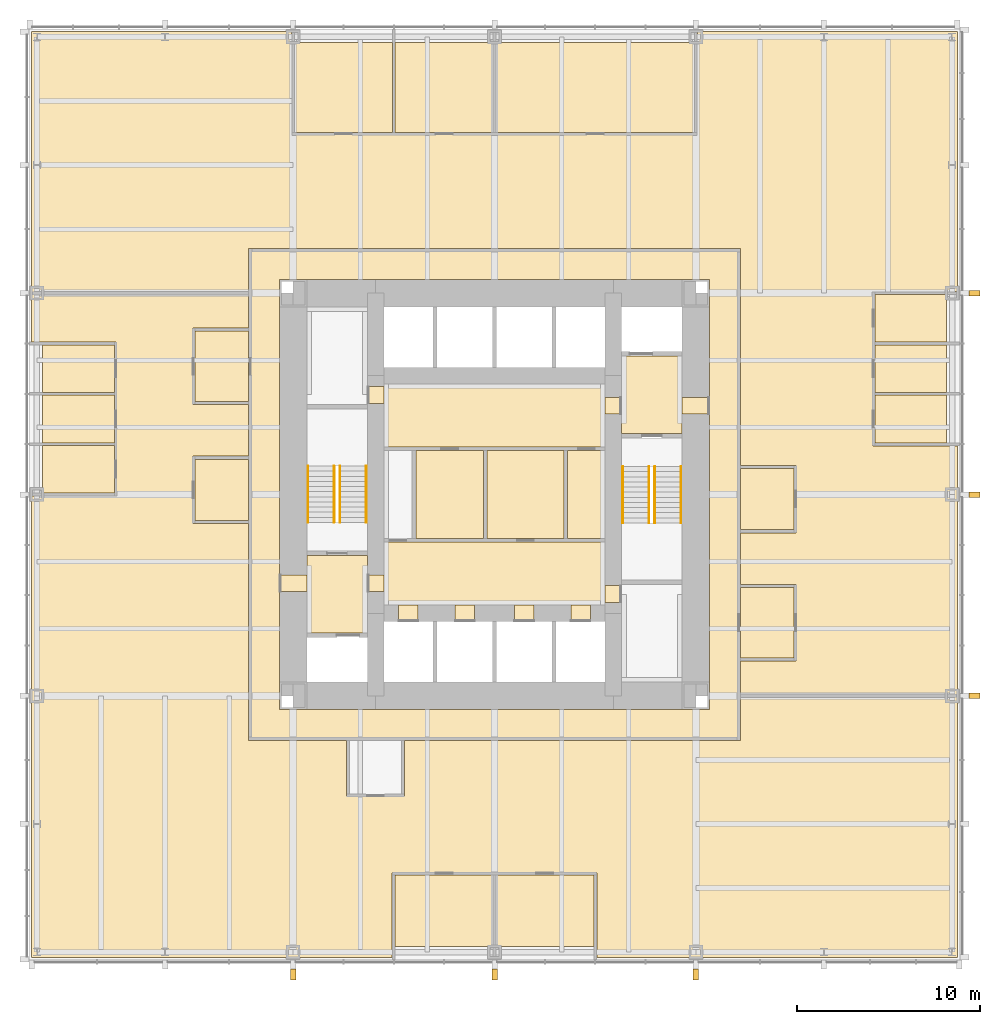
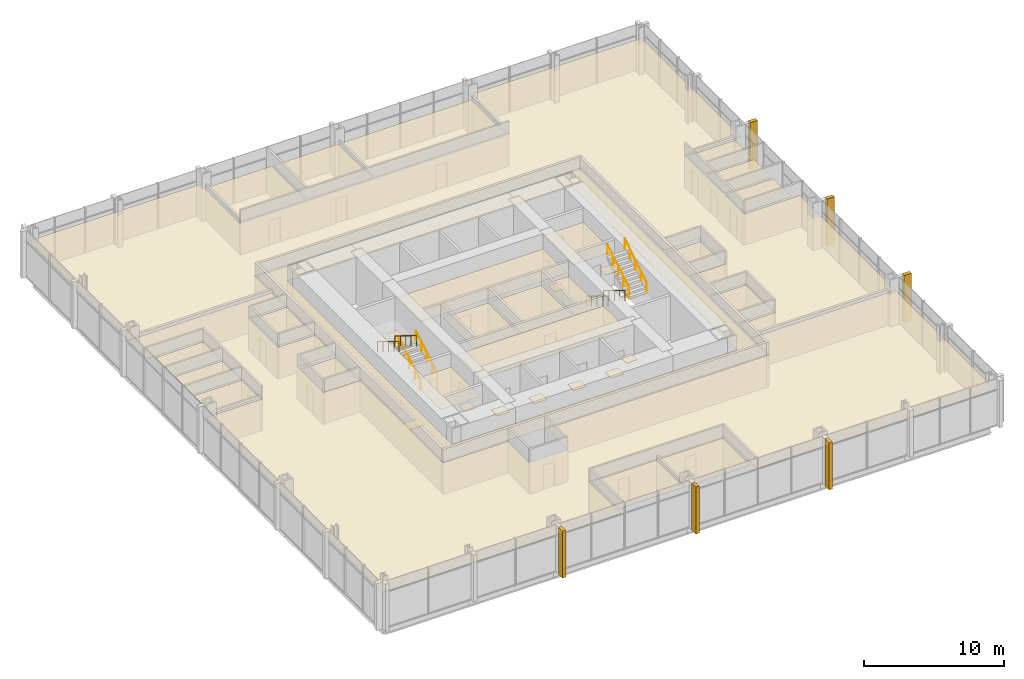
# One storey, part 12 of 12: 41 coverings, 8 railings.
"""IFC4 building model written with IfcOpenShell, lengths in metres."""

from ifc_helpers import new_model, si_unit, direction, frame, origin, origin_2d, place, context, subcontext, project, spatial, polyline, rectangle, circle, outline, extrude, material, layer, layer_set, type_object, element, save


model = new_model("IFC4")

# Units and contexts
model_context = context("Model", 3, precision=1e-05, world=origin(), true_north=direction((0.0, 1.0)))
body_context = subcontext(model_context, "Body", "Model", "MODEL_VIEW")
ifc_project = project(units=[si_unit("LENGTHUNIT", "METRE"), si_unit("AREAUNIT", "SQUARE_METRE"), si_unit("VOLUMEUNIT", "CUBIC_METRE"), si_unit("PLANEANGLEUNIT", "RADIAN"), si_unit("MASSUNIT", "GRAM", prefix="KILO")], contexts=[model_context])

# Site, building, storey
site_placement = place(None, origin())
site = spatial("IfcSite", under=ifc_project, at=site_placement, CompositionType="ELEMENT")
building_placement = place(site_placement, origin())
building = spatial("IfcBuilding", under=site, at=building_placement, Name="Trevanion Tower", CompositionType="ELEMENT")
storey_placement = place(building_placement, frame((0.0, 0.0, 65.199951171875)))
storey = spatial("IfcBuildingStorey", under=building, at=storey_placement, Name="L15", CompositionType="ELEMENT", Elevation=65.199951171875)

# Coverings
ifc_material_1 = material(Name="Fibrous plaster coffers on suspended steel grid", Category="steel")
ifc_layer_1 = layer(ifc_material_1, 0.050048828125)
ifc_layer_set_1 = layer_set([ifc_layer_1], Name="CL1 coffered fibrous plaster ceiling 50")
covering_type_1 = type_object("IfcCoveringType", Name="CL1 coffered fibrous plaster ceiling 50", PredefinedType="CEILING", material=ifc_layer_set_1)
covering_1_placement = place(storey_placement, frame((0.0, 0.0, 3.0)))
element("IfcCovering", 1, at=covering_1_placement, inside=storey, type_object=covering_type_1, Name="CL1 L15-LBS", PredefinedType="CEILING", context=body_context, shape_type="SweptSolid", body=[
    extrude(outline(polyline([(6.050048828125, -6.050048828125), (6.050048828125, -2.60009765625), (-6.050048828125, -2.60009765625), (-6.050048828125, -6.050048828125), (6.050048828125, -6.050048828125)])), origin(), (0.0, 0.0, 1.0), 0.050048828125),
])
ifc_material_2 = material(Name="Mineral fibre acoustic tiles in exposed grid", Category="mineral fibre")
ifc_layer_2 = layer(ifc_material_2, 0.02001953125)
ifc_layer_set_2 = layer_set([ifc_layer_2], Name="CL2 acoustic tile ceiling 20")
covering_type_2 = type_object("IfcCoveringType", Name="CL2 acoustic tile ceiling 20", PredefinedType="CEILING", material=ifc_layer_set_2)
covering_2_placement = place(storey_placement, frame((0.0, 0.0, 2.75)))
element("IfcCovering", 2, at=covering_2_placement, inside=storey, type_object=covering_type_2, Name="CL2 L15-LBN", PredefinedType="CEILING", context=body_context, shape_type="SweptSolid", body=[
    extrude(outline(polyline([(6.050048828125, 2.60009765625), (6.050048828125, 6.050048828125), (-6.050048828125, 6.050048828125), (-6.050048828125, 2.60009765625), (6.050048828125, 2.60009765625)])), origin(), (0.0, 0.0, 1.0), 0.02001953125),
])
covering_3_placement = place(storey_placement, frame((0.0, 0.0, 2.75)))
element("IfcCovering", 3, at=covering_3_placement, inside=storey, type_object=covering_type_2, Name="CL2 L15-CO", PredefinedType="CEILING", context=body_context, shape_type="SweptSolid", body=[
    extrude(outline(polyline([(-13.35009765625, 13.35009765625), (13.35009765625, 13.35009765625), (13.35009765625, -13.35009765625), (-13.35009765625, -13.35009765625), (-13.35009765625, 13.35009765625)]), holes=[polyline([(-11.75, 11.75), (-11.75, -11.75), (11.75, -11.75), (11.75, 11.75), (-11.75, 11.75)])]), origin(), (0.0, 0.0, 1.0), 0.02001953125),
])
covering_4_placement = place(storey_placement, frame((0.0, 0.0, 2.75)))
element("IfcCovering", 4, at=covering_4_placement, inside=storey, type_object=covering_type_2, Name="CL2 L15-BR", PredefinedType="CEILING", context=body_context, shape_type="SweptSolid", body=[
    extrude(outline(polyline([(10.925048828125, 19.77490234375), (0.074951171875, 19.77490234375), (0.074951171875, 24.699951171875), (10.925048828125, 24.699951171875), (10.925048828125, 19.77490234375)])), origin(), (0.0, 0.0, 1.0), 0.02001953125),
])
covering_5_placement = place(storey_placement, frame((0.0, 0.0, 2.75)))
element("IfcCovering", 5, at=covering_5_placement, inside=storey, type_object=covering_type_2, Name="CL2 L15-MR", PredefinedType="CEILING", context=body_context, shape_type="SweptSolid", body=[
    extrude(outline(polyline([(-0.074951171875, 19.77490234375), (-5.425048828125, 19.77490234375), (-5.425048828125, 24.699951171875), (-0.074951171875, 24.699951171875), (-0.074951171875, 19.77490234375)])), origin(), (0.0, 0.0, 1.0), 0.02001953125),
])
covering_6_placement = place(storey_placement, frame((0.0, 0.0, 2.75)))
element("IfcCovering", 6, at=covering_6_placement, inside=storey, type_object=covering_type_2, Name="CL2 L15-MR2", PredefinedType="CEILING", context=body_context, shape_type="SweptSolid", body=[
    extrude(outline(polyline([(-5.574951171875, 19.77490234375), (-10.925048828125, 19.77490234375), (-10.925048828125, 24.699951171875), (-5.574951171875, 24.699951171875), (-5.574951171875, 19.77490234375)])), origin(), (0.0, 0.0, 1.0), 0.02001953125),
])
covering_7_placement = place(storey_placement, frame((0.0, 0.0, 2.75)))
element("IfcCovering", 7, at=covering_7_placement, inside=storey, type_object=covering_type_2, Name="CL2 L15-MR3", PredefinedType="CEILING", context=body_context, shape_type="SweptSolid", body=[
    extrude(outline(polyline([(-5.425048828125, -20.77490234375), (-0.074951171875, -20.77490234375), (-0.074951171875, -24.699951171875), (-5.425048828125, -24.699951171875), (-5.425048828125, -20.77490234375)])), origin(), (0.0, 0.0, 1.0), 0.02001953125),
])
covering_8_placement = place(storey_placement, frame((0.0, 0.0, 2.75)))
element("IfcCovering", 8, at=covering_8_placement, inside=storey, type_object=covering_type_2, Name="CL2 L15-MR4", PredefinedType="CEILING", context=body_context, shape_type="SweptSolid", body=[
    extrude(outline(polyline([(0.074951171875, -20.77490234375), (5.425048828125, -20.77490234375), (5.425048828125, -24.699951171875), (0.074951171875, -24.699951171875), (0.074951171875, -20.77490234375)])), origin(), (0.0, 0.0, 1.0), 0.02001953125),
])
covering_9_placement = place(storey_placement, frame((0.0, 0.0, 2.75)))
element("IfcCovering", 9, at=covering_9_placement, inside=storey, type_object=covering_type_2, Name="CL2 L15-OF", PredefinedType="CEILING", context=body_context, shape_type="SweptSolid", body=[
    extrude(outline(polyline([(20.77490234375, 2.824951171875), (20.77490234375, 5.425048828125), (24.699951171875, 5.425048828125), (24.699951171875, 2.824951171875), (20.77490234375, 2.824951171875)])), origin(), (0.0, 0.0, 1.0), 0.02001953125),
])
covering_10_placement = place(storey_placement, frame((0.0, 0.0, 2.75)))
element("IfcCovering", 10, at=covering_10_placement, inside=storey, type_object=covering_type_2, Name="CL2 L15-OF2", PredefinedType="CEILING", context=body_context, shape_type="SweptSolid", body=[
    extrude(outline(polyline([(20.77490234375, 5.574951171875), (20.77490234375, 8.175048828125), (24.699951171875, 8.175048828125), (24.699951171875, 5.574951171875), (20.77490234375, 5.574951171875)])), origin(), (0.0, 0.0, 1.0), 0.02001953125),
])
covering_11_placement = place(storey_placement, frame((0.0, 0.0, 2.75)))
element("IfcCovering", 11, at=covering_11_placement, inside=storey, type_object=covering_type_2, Name="CL2 L15-OF3", PredefinedType="CEILING", context=body_context, shape_type="SweptSolid", body=[
    extrude(outline(polyline([(20.77490234375, 8.324951171875), (20.77490234375, 10.925048828125), (24.699951171875, 10.925048828125), (24.699951171875, 8.324951171875), (20.77490234375, 8.324951171875)])), origin(), (0.0, 0.0, 1.0), 0.02001953125),
])
covering_12_placement = place(storey_placement, frame((0.0, 0.0, 2.75)))
element("IfcCovering", 12, at=covering_12_placement, inside=storey, type_object=covering_type_2, Name="CL2 L15-OF4", PredefinedType="CEILING", context=body_context, shape_type="SweptSolid", body=[
    extrude(outline(polyline([(-20.77490234375, 8.175048828125), (-20.77490234375, 5.574951171875), (-24.699951171875, 5.574951171875), (-24.699951171875, 8.175048828125), (-20.77490234375, 8.175048828125)])), origin(), (0.0, 0.0, 1.0), 0.02001953125),
])
covering_13_placement = place(storey_placement, frame((0.0, 0.0, 2.75)))
element("IfcCovering", 13, at=covering_13_placement, inside=storey, type_object=covering_type_2, Name="CL2 L15-OF5", PredefinedType="CEILING", context=body_context, shape_type="SweptSolid", body=[
    extrude(outline(polyline([(-20.77490234375, 5.425048828125), (-20.77490234375, 2.824951171875), (-24.699951171875, 2.824951171875), (-24.699951171875, 5.425048828125), (-20.77490234375, 5.425048828125)])), origin(), (0.0, 0.0, 1.0), 0.02001953125),
])
covering_14_placement = place(storey_placement, frame((0.0, 0.0, 2.75)))
element("IfcCovering", 14, at=covering_14_placement, inside=storey, type_object=covering_type_2, Name="CL2 L15-OF6", PredefinedType="CEILING", context=body_context, shape_type="SweptSolid", body=[
    extrude(outline(polyline([(-20.77490234375, 2.675048828125), (-20.77490234375, 0.074951171875), (-24.699951171875, 0.074951171875), (-24.699951171875, 2.675048828125), (-20.77490234375, 2.675048828125)])), origin(), (0.0, 0.0, 1.0), 0.02001953125),
])
covering_15_placement = place(storey_placement, frame((0.0, 0.0, 2.75)))
element("IfcCovering", 15, at=covering_15_placement, inside=storey, type_object=covering_type_2, Name="CL2 L15-RC", PredefinedType="CEILING", context=body_context, shape_type="SweptSolid", body=[
    extrude(outline(polyline([(13.449951171875, -8.925048828125), (13.449951171875, -5.074951171875), (16.375, -5.074951171875), (16.375, -8.925048828125), (13.449951171875, -8.925048828125)])), origin(), (0.0, 0.0, 1.0), 0.02001953125),
])
covering_16_placement = place(storey_placement, frame((0.0, 0.0, 2.75)))
element("IfcCovering", 16, at=covering_16_placement, inside=storey, type_object=covering_type_2, Name="CL2 L15-RC2", PredefinedType="CEILING", context=body_context, shape_type="SweptSolid", body=[
    extrude(outline(polyline([(-13.449951171875, 8.925048828125), (-13.449951171875, 5.074951171875), (-16.375, 5.074951171875), (-16.375, 8.925048828125), (-13.449951171875, 8.925048828125)])), origin(), (0.0, 0.0, 1.0), 0.02001953125),
])
covering_17_placement = place(storey_placement, frame((0.0, 0.0, 2.75)))
element("IfcCovering", 17, at=covering_17_placement, inside=storey, type_object=covering_type_2, Name="CL2 L15-OP", PredefinedType="CEILING", context=body_context, shape_type="SweptSolid", body=[
    extrude(outline(polyline([(13.449951171875, 13.449951171875), (-13.449951171875, 13.449951171875), (-13.449951171875, 11.0), (-25.300048828125, 11.0), (-25.300048828125, 25.300048828125), (-11.094970703125, 25.300048828125), (-11.094970703125, 19.679931640625), (11.094970703125, 19.679931640625), (11.094970703125, 25.300048828125), (25.300048828125, 25.300048828125), (25.300048828125, 11.094970703125), (20.679931640625, 11.094970703125), (20.679931640625, 2.655029296875), (25.300048828125, 2.655029296875), (25.300048828125, -11.0), (13.449951171875, -11.0), (13.449951171875, -9.094970703125), (16.469970703125, -9.094970703125), (16.469970703125, -4.905029296875), (13.449951171875, -4.905029296875), (13.449951171875, -2.094970703125), (16.469970703125, -2.094970703125), (16.469970703125, 1.594970703125), (13.449951171875, 1.594970703125), (13.449951171875, 13.449951171875)])), origin(), (0.0, 0.0, 1.0), 0.02001953125),
])
covering_18_placement = place(storey_placement, frame((0.0, 0.0, 2.75)))
element("IfcCovering", 18, at=covering_18_placement, inside=storey, type_object=covering_type_2, Name="CL2 L15-OP2", PredefinedType="CEILING", context=body_context, shape_type="SweptSolid", body=[
    extrude(outline(polyline([(13.449951171875, -11.0), (25.300048828125, -11.0), (25.300048828125, -25.300048828125), (5.594970703125, -25.300048828125), (5.594970703125, -20.679931640625), (-5.594970703125, -20.679931640625), (-5.594970703125, -25.300048828125), (-25.300048828125, -25.300048828125), (-25.300048828125, -0.094970703125), (-20.679931640625, -0.094970703125), (-20.679931640625, 8.344970703125), (-25.300048828125, 8.344970703125), (-25.300048828125, 11.0), (-13.449951171875, 11.0), (-13.449951171875, 9.094970703125), (-16.469970703125, 9.094970703125), (-16.469970703125, 4.905029296875), (-13.449951171875, 4.905029296875), (-13.449951171875, 2.094970703125), (-16.469970703125, 2.094970703125), (-16.469970703125, -1.594970703125), (-13.449951171875, -1.594970703125), (-13.449951171875, -13.449951171875), (-8.094970703125, -13.449951171875), (-8.094970703125, -16.469970703125), (-4.905029296875, -16.469970703125), (-4.905029296875, -13.449951171875), (13.449951171875, -13.449951171875), (13.449951171875, -11.0)])), origin(), (0.0, 0.0, 1.0), 0.02001953125),
])
ifc_material_3 = material(Name="Gypsum plasterboard on suspended metal furring", Category="gypsum")
ifc_layer_3 = layer(ifc_material_3, 0.012939453125)
ifc_layer_set_3 = layer_set([ifc_layer_3], Name="CL3 plasterboard ceiling 13")
covering_type_3 = type_object("IfcCoveringType", Name="CL3 plasterboard ceiling 13", PredefinedType="CEILING", material=ifc_layer_set_3)
covering_19_placement = place(storey_placement, frame((0.0, 0.0, 2.699951171875)))
element("IfcCovering", 19, at=covering_19_placement, inside=storey, type_object=covering_type_3, Name="CL3 L15-FV1", PredefinedType="CEILING", context=body_context, shape_type="SweptSolid", body=[
    extrude(outline(polyline([(10.25, 3.324951171875), (10.25, 7.574951171875), (6.949951171875, 7.574951171875), (6.949951171875, 3.324951171875), (10.25, 3.324951171875)])), origin(), (0.0, 0.0, 1.0), 0.01318359375),
])
covering_20_placement = place(storey_placement, frame((0.0, 0.0, 2.699951171875)))
element("IfcCovering", 20, at=covering_20_placement, inside=storey, type_object=covering_type_3, Name="CL3 L15-FV2", PredefinedType="CEILING", context=body_context, shape_type="SweptSolid", body=[
    extrude(outline(polyline([(-10.25, -3.324951171875), (-10.25, -7.574951171875), (-6.949951171875, -7.574951171875), (-6.949951171875, -3.324951171875), (-10.25, -3.324951171875)])), origin(), (0.0, 0.0, 1.0), 0.01318359375),
])
ifc_material_4 = material(Name="Moisture-resistant gypsum board on suspended metal furring", Category="gypsum")
ifc_layer_4 = layer(ifc_material_4, 0.01611328125)
ifc_layer_set_4 = layer_set([ifc_layer_4], Name="CL4 moisture-resistant board ceiling 16")
covering_type_4 = type_object("IfcCoveringType", Name="CL4 moisture-resistant board ceiling 16", PredefinedType="CEILING", material=ifc_layer_set_4)
covering_21_placement = place(storey_placement, frame((0.0, 0.0, 2.60009765625)))
element("IfcCovering", 21, at=covering_21_placement, inside=storey, type_object=covering_type_4, Name="CL4 L15-WCM", PredefinedType="CEILING", context=body_context, shape_type="SweptSolid", body=[
    extrude(outline(polyline([(-0.60009765625, -2.39990234375), (-0.60009765625, 2.39990234375), (-4.300048828125, 2.39990234375), (-4.300048828125, -2.39990234375), (-0.60009765625, -2.39990234375)])), origin(), (0.0, 0.0, 1.0), 0.015869140625),
])
covering_22_placement = place(storey_placement, frame((0.0, 0.0, 2.60009765625)))
element("IfcCovering", 22, at=covering_22_placement, inside=storey, type_object=covering_type_4, Name="CL4 L15-WCF", PredefinedType="CEILING", context=body_context, shape_type="SweptSolid", body=[
    extrude(outline(polyline([(3.800048828125, -2.39990234375), (3.800048828125, 2.39990234375), (-0.39990234375, 2.39990234375), (-0.39990234375, -2.39990234375), (3.800048828125, -2.39990234375)])), origin(), (0.0, 0.0, 1.0), 0.015869140625),
])
covering_23_placement = place(storey_placement, frame((0.0, 0.0, 2.60009765625)))
element("IfcCovering", 23, at=covering_23_placement, inside=storey, type_object=covering_type_4, Name="CL4 L15-WCA", PredefinedType="CEILING", context=body_context, shape_type="SweptSolid", body=[
    extrude(outline(polyline([(6.050048828125, -2.39990234375), (6.050048828125, 2.39990234375), (4.0, 2.39990234375), (4.0, -2.39990234375), (6.050048828125, -2.39990234375)])), origin(), (0.0, 0.0, 1.0), 0.015869140625),
])
covering_24_placement = place(storey_placement, frame((0.0, 0.0, 2.60009765625)))
element("IfcCovering", 24, at=covering_24_placement, inside=storey, type_object=covering_type_4, Name="CL4 L15-PA", PredefinedType="CEILING", context=body_context, shape_type="SweptSolid", body=[
    extrude(outline(polyline([(13.449951171875, -1.925048828125), (13.449951171875, 1.425048828125), (16.375, 1.425048828125), (16.375, -1.925048828125), (13.449951171875, -1.925048828125)])), origin(), (0.0, 0.0, 1.0), 0.015869140625),
])
covering_25_placement = place(storey_placement, frame((0.0, 0.0, 2.60009765625)))
element("IfcCovering", 25, at=covering_25_placement, inside=storey, type_object=covering_type_4, Name="CL4 L15-PA2", PredefinedType="CEILING", context=body_context, shape_type="SweptSolid", body=[
    extrude(outline(polyline([(-13.449951171875, 1.925048828125), (-13.449951171875, -1.425048828125), (-16.375, -1.425048828125), (-16.375, 1.925048828125), (-13.449951171875, 1.925048828125)])), origin(), (0.0, 0.0, 1.0), 0.015869140625),
])
ifc_material_5 = material(Name="Cast bronze fin on aluminium carrier", Category="aluminium")
covering_type_5 = type_object("IfcCoveringType", Name="F1 bronze fin", PredefinedType="CLADDING", material=ifc_material_5)
for number, where, z_axis, x_axis, name in (
    (26, (26.22509765625, -11.0, -0.18994140625), (0.0, 0.0, 1.0), (0.0, 1.0, 0.0), "F1 L15 east -11.0"),
    (27, (26.22509765625, 0.0, -0.18994140625), (0.0, 0.0, 1.0), (0.0, 1.0, 0.0), "F1 L15 east +0.0"),
    (28, (26.22509765625, 11.0, -0.18994140625), (0.0, 0.0, 1.0), (0.0, 1.0, 0.0), "F1 L15 east +11.0"),
    (29, (-11.0, -26.22509765625, -0.18994140625), (0.0, 0.0, 1.0), (1.0, 0.0, 0.0), "F1 L15 south -11.0"),
    (30, (0.0, -26.22509765625, -0.18994140625), (0.0, 0.0, 1.0), (1.0, 0.0, 0.0), "F1 L15 south +0.0"),
    (31, (11.0, -26.22509765625, -0.18994140625), (0.0, 0.0, 1.0), (1.0, 0.0, 0.0), "F1 L15 south +11.0"),
):
    element("IfcCovering", number, at=place(storey_placement, frame(where, z_axis=z_axis, x_axis=x_axis)), inside=storey, type_object=covering_type_5, Name=name, PredefinedType="CLADDING", context=body_context, shape_type="SweptSolid", body=[
        extrude(rectangle(XDim=0.300048828125, YDim=0.60009765625, at=origin_2d()), origin(), (0.0, 0.0, 1.0), 4.10009765625),
    ])
ifc_material_6 = material(Name="Terrazzo, brass divider strips", Category="stone")
ifc_layer_5 = layer(ifc_material_6, 0.02001953125)
ifc_layer_set_5 = layer_set([ifc_layer_5], Name="FF1 terrazzo flooring")
covering_type_6 = type_object("IfcCoveringType", Name="FF1 terrazzo flooring", PredefinedType="FLOORING", material=ifc_layer_set_5)
covering_26_placement = place(storey_placement, origin())
element("IfcCovering", 32, at=covering_26_placement, inside=storey, type_object=covering_type_6, Name="FF1 threshold 15-001", PredefinedType="FLOORING", context=body_context, shape_type="SweptSolid", body=[
    extrude(outline(polyline([(11.75, 4.392578125), (11.75, 5.3076171875), (10.25, 5.3076171875), (10.25, 4.392578125), (11.75, 4.392578125)])), origin(), (0.0, 0.0, 1.0), 0.02001953125),
])
covering_27_placement = place(storey_placement, origin())
element("IfcCovering", 33, at=covering_27_placement, inside=storey, type_object=covering_type_6, Name="FF1 threshold 15-002", PredefinedType="FLOORING", context=body_context, shape_type="SweptSolid", body=[
    extrude(outline(polyline([(-11.75, -4.392578125), (-11.75, -5.3076171875), (-10.25, -5.3076171875), (-10.25, -4.392578125), (-11.75, -4.392578125)])), origin(), (0.0, 0.0, 1.0), 0.02001953125),
])
covering_28_placement = place(storey_placement, origin())
element("IfcCovering", 34, at=covering_28_placement, inside=storey, type_object=covering_type_6, Name="FF1 threshold 15-003", PredefinedType="FLOORING", context=body_context, shape_type="SweptSolid", body=[
    extrude(outline(polyline([(6.949951171875, 4.392578125), (6.949951171875, 5.3076171875), (6.050048828125, 5.3076171875), (6.050048828125, 4.392578125), (6.949951171875, 4.392578125)])), origin(), (0.0, 0.0, 1.0), 0.02001953125),
])
covering_29_placement = place(storey_placement, origin())
element("IfcCovering", 35, at=covering_29_placement, inside=storey, type_object=covering_type_6, Name="FF1 threshold 15-004", PredefinedType="FLOORING", context=body_context, shape_type="SweptSolid", body=[
    extrude(outline(polyline([(-6.949951171875, -4.392578125), (-6.949951171875, -5.3076171875), (-6.050048828125, -5.3076171875), (-6.050048828125, -4.392578125), (-6.949951171875, -4.392578125)])), origin(), (0.0, 0.0, 1.0), 0.02001953125),
])
covering_30_placement = place(storey_placement, origin())
element("IfcCovering", 36, at=covering_30_placement, inside=storey, type_object=covering_type_6, Name="FF1 threshold 15-009", PredefinedType="FLOORING", context=body_context, shape_type="SweptSolid", body=[
    extrude(outline(polyline([(6.949951171875, -5.889892578125), (6.949951171875, -4.97509765625), (6.050048828125, -4.97509765625), (6.050048828125, -5.889892578125), (6.949951171875, -5.889892578125)])), origin(), (0.0, 0.0, 1.0), 0.02001953125),
])
covering_31_placement = place(storey_placement, origin())
element("IfcCovering", 37, at=covering_31_placement, inside=storey, type_object=covering_type_6, Name="FF1 threshold 15-010", PredefinedType="FLOORING", context=body_context, shape_type="SweptSolid", body=[
    extrude(outline(polyline([(-6.949951171875, 5.889892578125), (-6.949951171875, 4.97509765625), (-6.050048828125, 4.97509765625), (-6.050048828125, 5.889892578125), (-6.949951171875, 5.889892578125)])), origin(), (0.0, 0.0, 1.0), 0.02001953125),
])
covering_32_placement = place(storey_placement, origin())
element("IfcCovering", 38, at=covering_32_placement, inside=storey, type_object=covering_type_6, Name="FF1 threshold 15-011", PredefinedType="FLOORING", context=body_context, shape_type="SweptSolid", body=[
    extrude(outline(polyline([(-5.2333984375, -6.949951171875), (-4.16650390625, -6.949951171875), (-4.16650390625, -6.050048828125), (-5.2333984375, -6.050048828125), (-5.2333984375, -6.949951171875)])), origin(), (0.0, 0.0, 1.0), 0.02001953125),
])
covering_33_placement = place(storey_placement, origin())
element("IfcCovering", 39, at=covering_33_placement, inside=storey, type_object=covering_type_6, Name="FF1 threshold 15-012", PredefinedType="FLOORING", context=body_context, shape_type="SweptSolid", body=[
    extrude(outline(polyline([(-2.158447265625, -6.949951171875), (-1.091552734375, -6.949951171875), (-1.091552734375, -6.050048828125), (-2.158447265625, -6.050048828125), (-2.158447265625, -6.949951171875)])), origin(), (0.0, 0.0, 1.0), 0.02001953125),
])
covering_34_placement = place(storey_placement, origin())
element("IfcCovering", 40, at=covering_34_placement, inside=storey, type_object=covering_type_6, Name="FF1 threshold 15-013", PredefinedType="FLOORING", context=body_context, shape_type="SweptSolid", body=[
    extrude(outline(polyline([(1.091552734375, -6.949951171875), (2.158447265625, -6.949951171875), (2.158447265625, -6.050048828125), (1.091552734375, -6.050048828125), (1.091552734375, -6.949951171875)])), origin(), (0.0, 0.0, 1.0), 0.02001953125),
])
covering_35_placement = place(storey_placement, origin())
element("IfcCovering", 41, at=covering_35_placement, inside=storey, type_object=covering_type_6, Name="FF1 threshold 15-014", PredefinedType="FLOORING", context=body_context, shape_type="SweptSolid", body=[
    extrude(outline(polyline([(4.16650390625, -6.949951171875), (5.2333984375, -6.949951171875), (5.2333984375, -6.050048828125), (4.16650390625, -6.050048828125), (4.16650390625, -6.949951171875)])), origin(), (0.0, 0.0, 1.0), 0.02001953125),
])

# Railings
ifc_material_7 = material(Name="Stainless steel tube 40 mm", Category="steel")
railing_type = type_object("IfcRailingType", Name="HR1 handrail", PredefinedType="HANDRAIL", material=ifc_material_7)
for number, where, name in (
    (42, (7.010009765625, 1.52490234375, 0.1708984375), "HR1 ST1 L15 flight 1"),
    (43, (8.43994140625, 1.52490234375, 0.1708984375), "HR1 ST1 L15 flight 1"),
):
    element("IfcRailing", number, at=place(storey_placement, frame(where)), inside=storey, type_object=railing_type, Name=name, PredefinedType="HANDRAIL", context=body_context, shape_type="SweptSolid", body=[
        extrude(circle(Radius=0.02001953125, at=origin_2d()), frame((0.0, 0.0, 0.8798828125), z_axis=(0.0, -0.853647949592, 0.520850437417), x_axis=(1.0, 0.0, 0.0)), (0.0, 0.0, 1.0), 3.60791015625),
        extrude(circle(Radius=0.01513671875, at=origin_2d()), origin(), (0.0, 0.0, 1.0), 0.85986328125),
        extrude(circle(Radius=0.01513671875, at=origin_2d()), frame((0.0, -0.77001953125, 0.4697265625)), (0.0, 0.0, 1.0), 0.85986328125),
        extrude(circle(Radius=0.01513671875, at=origin_2d()), frame((0.0, -1.5400390625, 0.939453125)), (0.0, 0.0, 1.0), 0.85986328125),
        extrude(circle(Radius=0.01513671875, at=origin_2d()), frame((0.0, -2.309814453125, 1.409423828125)), (0.0, 0.0, 1.0), 0.85986328125),
        extrude(circle(Radius=0.01513671875, at=origin_2d()), frame((0.0, -3.079833984375, 1.879150390625)), (0.0, 0.0, 1.0), 0.85986328125),
    ])
for number, where, name in (
    (44, (8.760009765625, -1.554931640625, 2.220947265625), "HR1 ST1 L15 flight 2"),
    (45, (10.18994140625, -1.554931640625, 2.220947265625), "HR1 ST1 L15 flight 2"),
    (46, (-7.010009765625, -1.52490234375, 0.1708984375), "HR1 ST2 L15 flight 1"),
    (47, (-8.43994140625, -1.52490234375, 0.1708984375), "HR1 ST2 L15 flight 1"),
):
    element("IfcRailing", number, at=place(storey_placement, frame(where)), inside=storey, type_object=railing_type, Name=name, PredefinedType="HANDRAIL", context=body_context, shape_type="SweptSolid", body=[
        extrude(circle(Radius=0.02001953125, at=origin_2d()), frame((0.0, 0.0, 0.8798828125), z_axis=(0.0, 0.853647949592, 0.520850437417), x_axis=(-1.0, 0.0, 0.0)), (0.0, 0.0, 1.0), 3.60791015625),
        extrude(circle(Radius=0.01513671875, at=origin_2d()), origin(), (0.0, 0.0, 1.0), 0.85986328125),
        extrude(circle(Radius=0.01513671875, at=origin_2d()), frame((0.0, 0.77001953125, 0.4697265625)), (0.0, 0.0, 1.0), 0.85986328125),
        extrude(circle(Radius=0.01513671875, at=origin_2d()), frame((0.0, 1.5400390625, 0.939453125)), (0.0, 0.0, 1.0), 0.85986328125),
        extrude(circle(Radius=0.01513671875, at=origin_2d()), frame((0.0, 2.309814453125, 1.409423828125)), (0.0, 0.0, 1.0), 0.85986328125),
        extrude(circle(Radius=0.01513671875, at=origin_2d()), frame((0.0, 3.079833984375, 1.879150390625)), (0.0, 0.0, 1.0), 0.85986328125),
    ])
for number, where, name in (
    (48, (-8.760009765625, 1.554931640625, 2.220947265625), "HR1 ST2 L15 flight 2"),
    (49, (-10.18994140625, 1.554931640625, 2.220947265625), "HR1 ST2 L15 flight 2"),
):
    element("IfcRailing", number, at=place(storey_placement, frame(where)), inside=storey, type_object=railing_type, Name=name, PredefinedType="HANDRAIL", context=body_context, shape_type="SweptSolid", body=[
        extrude(circle(Radius=0.02001953125, at=origin_2d()), frame((0.0, 0.0, 0.8798828125), z_axis=(0.0, -0.853647949592, 0.520850437417), x_axis=(1.0, 0.0, 0.0)), (0.0, 0.0, 1.0), 3.60791015625),
        extrude(circle(Radius=0.01513671875, at=origin_2d()), origin(), (0.0, 0.0, 1.0), 0.85986328125),
        extrude(circle(Radius=0.01513671875, at=origin_2d()), frame((0.0, -0.77001953125, 0.4697265625)), (0.0, 0.0, 1.0), 0.85986328125),
        extrude(circle(Radius=0.01513671875, at=origin_2d()), frame((0.0, -1.5400390625, 0.939453125)), (0.0, 0.0, 1.0), 0.85986328125),
        extrude(circle(Radius=0.01513671875, at=origin_2d()), frame((0.0, -2.309814453125, 1.409423828125)), (0.0, 0.0, 1.0), 0.85986328125),
        extrude(circle(Radius=0.01513671875, at=origin_2d()), frame((0.0, -3.079833984375, 1.879150390625)), (0.0, 0.0, 1.0), 0.85986328125),
    ])

save(model, "model.ifc")
